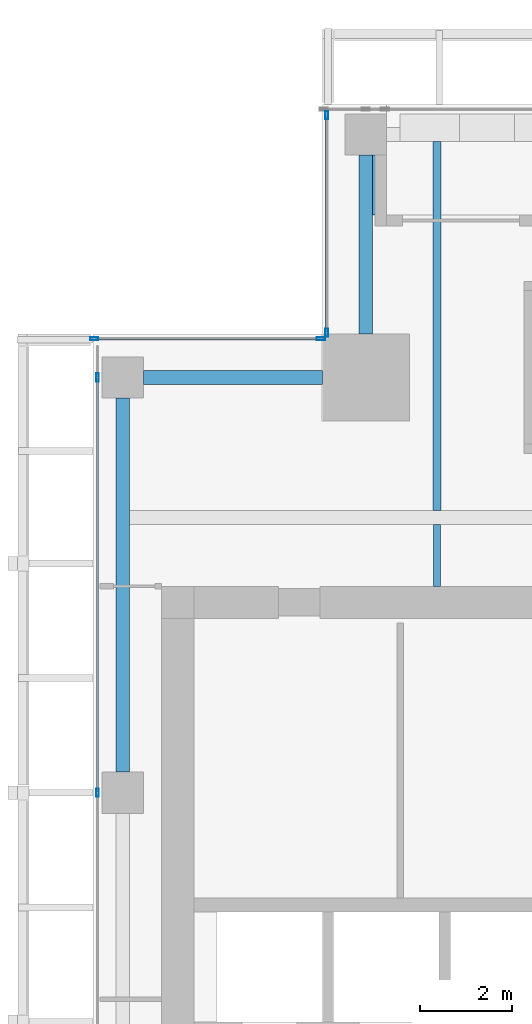
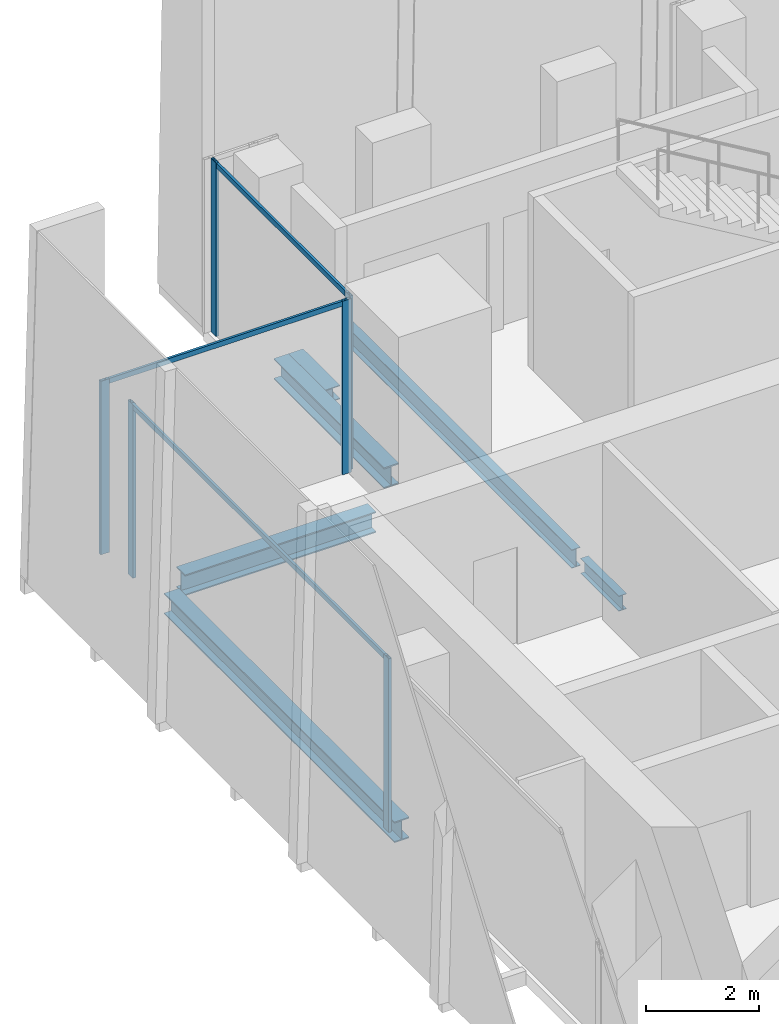
# One storey, part 14 of 35: 9 members, 6 beams, 3 elements without a shape of their own.
"""IFC4 building model written with IfcOpenShell, lengths in metres."""

from ifc_helpers import new_model, si_unit, direction, frame, origin, origin_2d, place, context, subcontext, project, spatial, hollow_rectangle, i_section, extrude, source, transform, mapped, material, material_profile, profile_set, type_object, element, aggregate, save


model = new_model("IFC4")

# Units and contexts
model_context = context("Model", 3, precision=1e-05, world=origin(), true_north=direction((0.0, 1.0)))
body_context = subcontext(model_context, "Body", "Model", "MODEL_VIEW")
ifc_project = project(units=[si_unit("LENGTHUNIT", "METRE"), si_unit("AREAUNIT", "SQUARE_METRE"), si_unit("VOLUMEUNIT", "CUBIC_METRE"), si_unit("PLANEANGLEUNIT", "RADIAN"), si_unit("MASSUNIT", "GRAM", prefix="KILO")], contexts=[model_context])

# Site, building, storey
site_placement = place(None, origin())
site = spatial("IfcSite", under=ifc_project, at=site_placement, CompositionType="ELEMENT")
building_placement = place(site_placement, origin())
building = spatial("IfcBuilding", under=site, at=building_placement, Name="Khomas Fold Tower", CompositionType="ELEMENT")
storey_placement = place(building_placement, frame((0.0, 0.0, 258.199951171875)))
storey = spatial("IfcBuildingStorey", under=building, at=storey_placement, Name="L58", CompositionType="ELEMENT", Elevation=258.199951171875)

# Beams
ifc_material_1 = material(Name="Steel S355", Category="steel")
ifc_material_profile_1 = material_profile(ifc_material_1, i_section(OverallWidth=0.159912109375, OverallDepth=0.330078125, WebThickness=0.007568359375, FlangeThickness=0.011474609375, at=origin_2d()), Name="IPE 330")
ifc_profile_set_1 = profile_set([ifc_material_profile_1], Name="Steel S355")
beam_type_1 = type_object("IfcBeamType", Name="IPE 330 beam JB1", PredefinedType="BEAM", material=ifc_profile_set_1)
shared_shape_1 = source(origin(), body_context, "Body", "SweptSolid", [
    extrude(i_section(OverallWidth=0.159912109375, OverallDepth=0.330078125, WebThickness=0.007568359375, FlangeThickness=0.011474609375, at=origin_2d()), origin(), (0.0, 0.0, 1.0), 1.35009765625),
])
beam_1_placement = place(storey_placement, frame((12.0, 39.0, -0.4150390625), z_axis=(0.0, 1.0, 0.0), x_axis=(-1.0, 0.0, 0.0)))
element("IfcBeam", 1, at=beam_1_placement, inside=storey, type_object=beam_type_1, Name="JB1", PredefinedType="BEAM", context=body_context, shape_type="MappedRepresentation", body=[
    mapped(shared_shape_1, transform((0.0, 0.0, 0.0))),
])
ifc_material_2 = material(Name="Steel S355", Category="steel")
ifc_material_profile_2 = material_profile(ifc_material_2, i_section(OverallWidth=0.300048828125, OverallDepth=0.449951171875, WebThickness=0.013916015625, FlangeThickness=0.02587890625, at=origin_2d()), Name="HE 450 B")
ifc_profile_set_2 = profile_set([ifc_material_profile_2], Name="Steel S355")
beam_type_2 = type_object("IfcBeamType", Name="HE 450 B spandrel SB4", PredefinedType="SPANDREL", material=ifc_profile_set_2)
shared_shape_2 = source(origin(), body_context, "Body", "SweptSolid", [
    extrude(i_section(OverallWidth=0.300048828125, OverallDepth=0.449951171875, WebThickness=0.013916015625, FlangeThickness=0.02587890625, at=origin_2d()), origin(), (0.0, 0.0, 1.0), 8.150146484375),
])
beam_2_placement = place(storey_placement, frame((5.14990234375, 34.949951171875, -0.474853515625), z_axis=(0.0, 1.0, 0.0), x_axis=(-1.0, 0.0, 0.0)))
element("IfcBeam", 2, at=beam_2_placement, inside=storey, type_object=beam_type_2, Name="SB4", PredefinedType="SPANDREL", context=body_context, shape_type="MappedRepresentation", body=[
    mapped(shared_shape_2, transform((0.0, 0.0, 0.0))),
])
shared_shape_3 = source(origin(), body_context, "Body", "SweptSolid", [
    extrude(i_section(OverallWidth=0.300048828125, OverallDepth=0.449951171875, WebThickness=0.013916015625, FlangeThickness=0.02587890625, at=origin_2d()), origin(), (0.0, 0.0, 1.0), 3.89990234375),
])
for number, where, z_axis, x_axis, name in (
    (3, (10.449951171875, 44.5, -0.474853515625), (0.0, 1.0, 0.0), (-1.0, 0.0, 0.0), "SB4"),
    (4, (5.60009765625, 43.550048828125, -0.474853515625), (1.0, 0.0, 0.0), (0.0, 1.0, 0.0), "SB4"),
):
    element("IfcBeam", number, at=place(storey_placement, frame(where, z_axis=z_axis, x_axis=x_axis)), inside=storey, type_object=beam_type_2, Name=name, PredefinedType="SPANDREL", context=body_context, shape_type="MappedRepresentation", body=[
        mapped(shared_shape_3, transform((0.0, 0.0, 0.0))),
    ])
ifc_material_3 = material(Name="Steel S355", Category="steel")
ifc_material_profile_3 = material_profile(ifc_material_3, i_section(OverallWidth=0.179931640625, OverallDepth=0.39990234375, WebThickness=0.008544921875, FlangeThickness=0.013427734375, at=origin_2d()), Name="IPE 400")
ifc_profile_set_3 = profile_set([ifc_material_profile_3], Name="Steel S355")
beam_type_3 = type_object("IfcBeamType", Name="IPE 400 beam JB3", PredefinedType="BEAM", material=ifc_profile_set_3)
shared_shape_4 = source(origin(), body_context, "Body", "SweptSolid", [
    extrude(i_section(OverallWidth=0.179931640625, OverallDepth=0.39990234375, WebThickness=0.008544921875, FlangeThickness=0.013427734375, at=origin_2d()), origin(), (0.0, 0.0, 1.0), 8.050048828125),
])
beam_3_placement = place(storey_placement, frame((12.0, 40.64990234375, -0.449951171875), z_axis=(0.0, 1.0, 0.0), x_axis=(-1.0, 0.0, 0.0)))
element("IfcBeam", 5, at=beam_3_placement, inside=storey, type_object=beam_type_3, Name="JB3", PredefinedType="BEAM", context=body_context, shape_type="MappedRepresentation", body=[
    mapped(shared_shape_4, transform((0.0, 0.0, 0.0))),
])
ifc_material_4 = material(Name="Steel S355", Category="steel")
ifc_material_profile_4 = material_profile(ifc_material_4, i_section(OverallWidth=0.300048828125, OverallDepth=0.300048828125, WebThickness=0.010986328125, FlangeThickness=0.01904296875, at=origin_2d()), Name="HE 300 B")
ifc_profile_set_4 = profile_set([ifc_material_profile_4], Name="Steel S355")
beam_type_4 = type_object("IfcBeamType", Name="HE 300 B beam BB1", PredefinedType="BEAM", material=ifc_profile_set_4)
shared_shape_5 = source(origin(), body_context, "Body", "SweptSolid", [
    extrude(i_section(OverallWidth=0.300048828125, OverallDepth=0.300048828125, WebThickness=0.010986328125, FlangeThickness=0.01904296875, at=origin_2d()), origin(), (0.0, 0.0, 1.0), 1.2998046875),
])
beam_4_placement = place(storey_placement, frame((10.75, 47.10009765625, -0.39990234375), z_axis=(0.0, 1.0, 0.0), x_axis=(-1.0, 0.0, 0.0)))
element("IfcBeam", 6, at=beam_4_placement, inside=storey, type_object=beam_type_4, Name="BB1", PredefinedType="BEAM", context=body_context, shape_type="MappedRepresentation", body=[
    mapped(shared_shape_5, transform((0.0, 0.0, 0.0))),
])

# Curtain wall, members
ifc_material_5 = material(Name="Aluminium framed double glazing", Category="aluminium")
curtain_wall_type = type_object("IfcCurtainWallType", Name="SK-Unitised clear-glass wall, office floors CW2", PredefinedType="NOTDEFINED", material=ifc_material_5)
curtain_wall_1_placement = place(storey_placement, origin())
curtain_wall_1 = element("IfcCurtainWall", 7, at=curtain_wall_1_placement, inside=storey, type_object=curtain_wall_type, Name="CW2 corner return L58 07", PredefinedType="NOTDEFINED")
ifc_material_6 = material(Name="Aluminium", Category="aluminium")
ifc_material_profile_5 = material_profile(ifc_material_6, hollow_rectangle(XDim=0.06005859375, YDim=0.179931640625, WallThickness=0.00390625, at=origin_2d()), Name="SK-Unitised clear-glass wall, office floors mullion CW2-M")
ifc_profile_set_5 = profile_set([ifc_material_profile_5], Name="Aluminium")
member_type_1 = type_object("IfcMemberType", Name="SK-Unitised clear-glass wall, office floors mullion CW2-M", PredefinedType="MULLION", material=ifc_profile_set_5)
shared_shape_6 = source(origin(), body_context, "Body", "SweptSolid", [
    extrude(hollow_rectangle(XDim=0.06005859375, YDim=0.179931640625, WallThickness=0.00390625, at=origin_2d()), origin(), (0.0, 0.0, 1.0), 3.75),
])
member_1_placement = place(storey_placement, frame((9.60009765625, 49.27001953125, 0.0), z_axis=(0.0, 0.0, 1.0), x_axis=(1.0, 0.0, 0.0)))
member_1 = element("IfcMember", 8, at=member_1_placement, type_object=member_type_1, Name="CW2 mullion 1", PredefinedType="MULLION", context=body_context, shape_type="MappedRepresentation", body=[
    mapped(shared_shape_6, transform((0.0, 0.0, 0.0))),
])
member_2_placement = place(storey_placement, frame((9.60009765625, 44.530029296875, 0.0), z_axis=(0.0, 0.0, 1.0), x_axis=(1.0, 0.0, 0.0)))
member_2 = element("IfcMember", 9, at=member_2_placement, type_object=member_type_1, Name="CW2 mullion 2", PredefinedType="MULLION", context=body_context, shape_type="MappedRepresentation", body=[
    mapped(shared_shape_6, transform((0.0, 0.0, 0.0))),
])

curtain_wall_2_placement = place(storey_placement, origin())
curtain_wall_2 = element("IfcCurtainWall", 10, at=curtain_wall_2_placement, inside=storey, type_object=curtain_wall_type, Name="CW2 corner return L58 08", PredefinedType="NOTDEFINED")
member_3_placement = place(storey_placement, frame((9.469970703125, 44.39990234375, 0.0), z_axis=(0.0, 0.0, 1.0), x_axis=(0.0, -1.0, 0.0)))
member_3 = element("IfcMember", 11, at=member_3_placement, type_object=member_type_1, Name="CW2 mullion 1", PredefinedType="MULLION", context=body_context, shape_type="MappedRepresentation", body=[
    mapped(shared_shape_6, transform((0.0, 0.0, 0.0))),
])
member_4_placement = place(storey_placement, frame((4.530029296875, 44.39990234375, 0.0), z_axis=(0.0, 0.0, 1.0), x_axis=(0.0, -1.0, 0.0)))
member_4 = element("IfcMember", 12, at=member_4_placement, type_object=member_type_1, Name="CW2 mullion 2", PredefinedType="MULLION", context=body_context, shape_type="MappedRepresentation", body=[
    mapped(shared_shape_6, transform((0.0, 0.0, 0.0))),
])

curtain_wall_3_placement = place(storey_placement, origin())
curtain_wall_3 = element("IfcCurtainWall", 13, at=curtain_wall_3_placement, inside=storey, type_object=curtain_wall_type, Name="CW2 run L58 09-0", PredefinedType="NOTDEFINED")
member_5_placement = place(storey_placement, frame((4.60009765625, 43.550048828125, 0.0), z_axis=(0.0, 0.0, 1.0), x_axis=(1.0, 0.0, 0.0)))
member_5 = element("IfcMember", 14, at=member_5_placement, type_object=member_type_1, Name="CW2 mullion 2", PredefinedType="MULLION", context=body_context, shape_type="MappedRepresentation", body=[
    mapped(shared_shape_6, transform((0.0, 0.0, 0.0))),
])
member_6_placement = place(storey_placement, frame((4.60009765625, 34.5, 0.0), z_axis=(0.0, 0.0, 1.0), x_axis=(1.0, 0.0, 0.0)))
member_6 = element("IfcMember", 15, at=member_6_placement, type_object=member_type_1, Name="CW2 mullion 3", PredefinedType="MULLION", context=body_context, shape_type="MappedRepresentation", body=[
    mapped(shared_shape_6, transform((0.0, 0.0, 0.0))),
])
ifc_material_7 = material(Name="Aluminium", Category="aluminium")
ifc_material_profile_6 = material_profile(ifc_material_7, hollow_rectangle(XDim=0.050048828125, YDim=0.110107421875, WallThickness=0.00390625, at=origin_2d()), Name="SK-Unitised clear-glass wall, office floors transom CW2-T")
ifc_profile_set_6 = profile_set([ifc_material_profile_6], Name="Aluminium")
member_type_2 = type_object("IfcMemberType", Name="SK-Unitised clear-glass wall, office floors transom CW2-T", PredefinedType="USERDEFINED", material=ifc_profile_set_6)
shared_shape_7 = source(origin(), body_context, "Body", "SweptSolid", [
    extrude(hollow_rectangle(XDim=0.050048828125, YDim=0.110107421875, WallThickness=0.00390625, at=origin_2d()), origin(), (0.0, 0.0, 1.0), 8.989990234375),
])
member_7_placement = place(storey_placement, frame((4.60009765625, 43.52001953125, 3.695068359375), z_axis=(0.0, -1.0, 0.0), x_axis=(1.0, 0.0, 0.0)))
member_7 = element("IfcMember", 16, at=member_7_placement, type_object=member_type_2, Name="CW2 transom 2", ObjectType="TRANSOM", PredefinedType="USERDEFINED", context=body_context, shape_type="MappedRepresentation", body=[
    mapped(shared_shape_7, transform((0.0, 0.0, 0.0))),
])
aggregate(curtain_wall_3, [member_5, member_6, member_7])

# Member
shared_shape_8 = source(origin(), body_context, "Body", "SweptSolid", [
    extrude(hollow_rectangle(XDim=0.050048828125, YDim=0.110107421875, WallThickness=0.00390625, at=origin_2d()), origin(), (0.0, 0.0, 1.0), 4.679931640625),
])
member_8_placement = place(storey_placement, frame((9.60009765625, 49.239990234375, 3.695068359375), z_axis=(0.0, -1.0, 0.0), x_axis=(1.0, 0.0, 0.0)))
member_8 = element("IfcMember", 17, at=member_8_placement, type_object=member_type_2, Name="CW2 transom 1", ObjectType="TRANSOM", PredefinedType="USERDEFINED", context=body_context, shape_type="MappedRepresentation", body=[
    mapped(shared_shape_8, transform((0.0, 0.0, 0.0))),
])

aggregate(curtain_wall_1, [member_1, member_2, member_8])

shared_shape_9 = source(origin(), body_context, "Body", "SweptSolid", [
    extrude(hollow_rectangle(XDim=0.050048828125, YDim=0.110107421875, WallThickness=0.00390625, at=origin_2d()), origin(), (0.0, 0.0, 1.0), 4.8798828125),
])
member_9_placement = place(storey_placement, frame((9.43994140625, 44.39990234375, 3.695068359375), z_axis=(-1.0, 0.0, 0.0), x_axis=(0.0, -1.0, 0.0)))
member_9 = element("IfcMember", 18, at=member_9_placement, type_object=member_type_2, Name="CW2 transom 1", ObjectType="TRANSOM", PredefinedType="USERDEFINED", context=body_context, shape_type="MappedRepresentation", body=[
    mapped(shared_shape_9, transform((0.0, 0.0, 0.0))),
])

aggregate(curtain_wall_2, [member_3, member_4, member_9])

save(model, "model.ifc")
